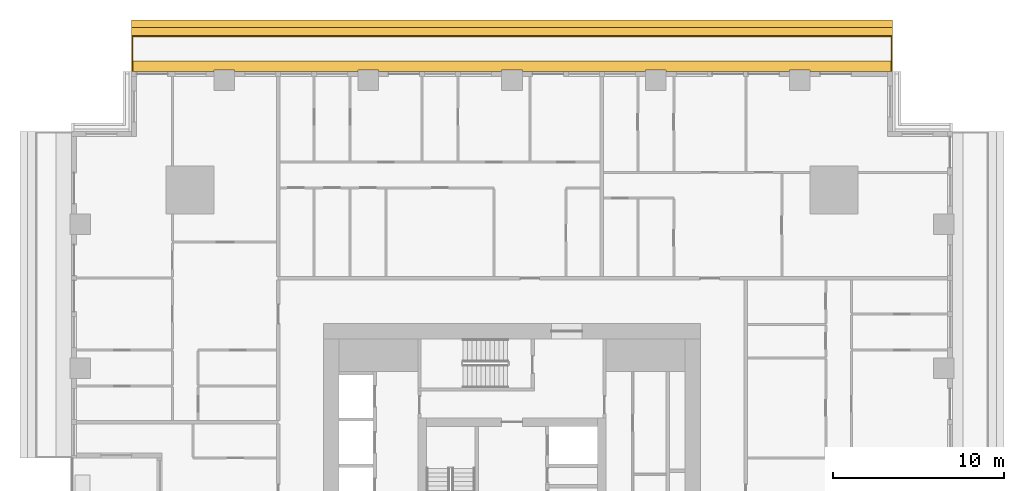
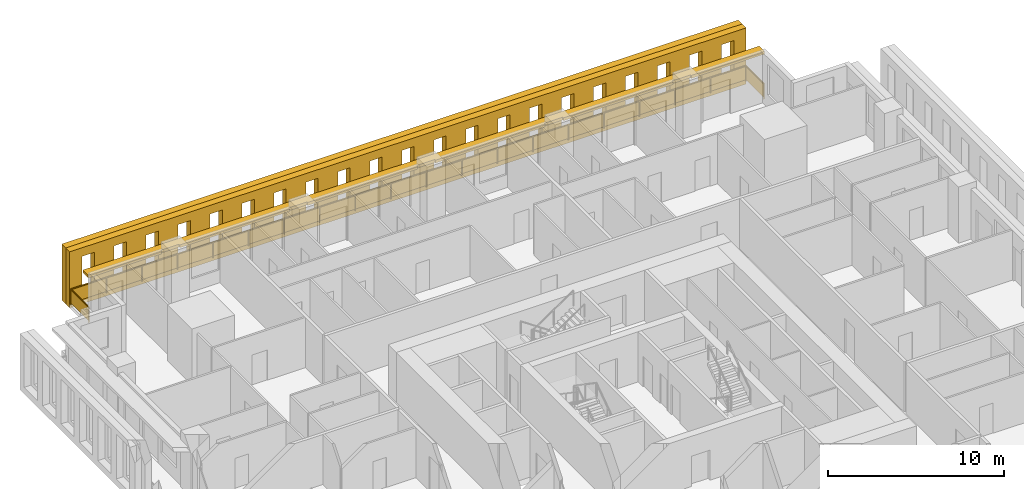
# One storey, part 16 of 16: 3 shading devices, 1 railing.
"""IFC4 building model written with IfcOpenShell, lengths in metres."""

from ifc_helpers import new_model, si_unit, direction, frame, origin, origin_2d, place, context, subcontext, project, spatial, polyline, rectangle, outline, extrude, material, layer, layer_set, type_object, element, save


model = new_model("IFC4")

# Units and contexts
model_context = context("Model", 3, precision=1e-05, world=origin(), true_north=direction((0.0, 1.0)))
body_context = subcontext(model_context, "Body", "Model", "MODEL_VIEW")
ifc_project = project(units=[si_unit("LENGTHUNIT", "METRE"), si_unit("AREAUNIT", "SQUARE_METRE"), si_unit("VOLUMEUNIT", "CUBIC_METRE"), si_unit("PLANEANGLEUNIT", "RADIAN"), si_unit("MASSUNIT", "GRAM", prefix="KILO")], contexts=[model_context])

# Site, building, storey
site_placement = place(None, origin())
site = spatial("IfcSite", under=ifc_project, at=site_placement, CompositionType="ELEMENT")
building_placement = place(site_placement, origin())
building = spatial("IfcBuilding", under=site, at=building_placement, Name="Khepri Terraces", CompositionType="ELEMENT")
storey_placement = place(building_placement, frame((0.0, 0.0, 79.199951171875)))
storey = spatial("IfcBuildingStorey", under=building, at=storey_placement, Name="L18", CompositionType="ELEMENT", Elevation=79.199951171875)

# Railing
ifc_material_1 = material(Name="Stainless steel grade 316", Category="steel")
railing_type = type_object("IfcRailingType", Name="GRD-BAL-1100", PredefinedType="GUARDRAIL", material=ifc_material_1)
railing_placement = place(storey_placement, frame((22.169921875, 25.719970703125, 0.0)))
element("IfcRailing", 1, at=railing_placement, inside=storey, type_object=railing_type, Name="Balcony guard L18 N", PredefinedType="GUARDRAIL", context=body_context, shape_type="SweptSolid", body=[
    extrude(rectangle(XDim=0.050048828125, YDim=0.06005859375, at=origin_2d()), frame((0.0, 0.0, 1.070068359375), z_axis=(0.0, 1.0, 0.0), x_axis=(-1.0, 0.0, 0.0)), (0.0, 0.0, 1.0), 2.050048828125),
    extrude(rectangle(XDim=2.0, YDim=0.011962890625, at=origin_2d()), frame((0.0, 1.02490234375, 0.10009765625), z_axis=(0.0, 0.0, 1.0), x_axis=(0.0, 1.0, 0.0)), (0.0, 0.0, 1.0), 0.93994140625),
    extrude(rectangle(XDim=0.050048828125, YDim=0.06005859375, at=origin_2d()), frame((0.0, 2.050048828125, 1.070068359375), z_axis=(-1.0, 0.0, 0.0), x_axis=(0.0, -1.0, 0.0)), (0.0, 0.0, 1.0), 44.33984375),
    extrude(rectangle(XDim=2.28369140625, YDim=0.011962890625, at=origin_2d()), frame((-1.166748046875, 2.050048828125, 0.10009765625), z_axis=(0.0, 0.0, 1.0), x_axis=(-1.0, 0.0, 0.0)), (0.0, 0.0, 1.0), 0.93994140625),
    extrude(rectangle(XDim=2.28369140625, YDim=0.011962890625, at=origin_2d()), frame((-3.50048828125, 2.050048828125, 0.10009765625), z_axis=(0.0, 0.0, 1.0), x_axis=(-1.0, 0.0, 0.0)), (0.0, 0.0, 1.0), 0.93994140625),
    extrude(rectangle(XDim=2.28369140625, YDim=0.011962890625, at=origin_2d()), frame((-5.834228515625, 2.050048828125, 0.10009765625), z_axis=(0.0, 0.0, 1.0), x_axis=(-1.0, 0.0, 0.0)), (0.0, 0.0, 1.0), 0.93994140625),
    extrude(rectangle(XDim=2.28369140625, YDim=0.011962890625, at=origin_2d()), frame((-8.16796875, 2.050048828125, 0.10009765625), z_axis=(0.0, 0.0, 1.0), x_axis=(-1.0, 0.0, 0.0)), (0.0, 0.0, 1.0), 0.93994140625),
    extrude(rectangle(XDim=2.28369140625, YDim=0.011962890625, at=origin_2d()), frame((-10.50146484375, 2.050048828125, 0.10009765625), z_axis=(0.0, 0.0, 1.0), x_axis=(-1.0, 0.0, 0.0)), (0.0, 0.0, 1.0), 0.93994140625),
    extrude(rectangle(XDim=2.28369140625, YDim=0.011962890625, at=origin_2d()), frame((-12.835205078125, 2.050048828125, 0.10009765625), z_axis=(0.0, 0.0, 1.0), x_axis=(-1.0, 0.0, 0.0)), (0.0, 0.0, 1.0), 0.93994140625),
    extrude(rectangle(XDim=2.28369140625, YDim=0.011962890625, at=origin_2d()), frame((-15.1689453125, 2.050048828125, 0.10009765625), z_axis=(0.0, 0.0, 1.0), x_axis=(-1.0, 0.0, 0.0)), (0.0, 0.0, 1.0), 0.93994140625),
    extrude(rectangle(XDim=2.28369140625, YDim=0.011962890625, at=origin_2d()), frame((-17.502685546875, 2.050048828125, 0.10009765625), z_axis=(0.0, 0.0, 1.0), x_axis=(-1.0, 0.0, 0.0)), (0.0, 0.0, 1.0), 0.93994140625),
    extrude(rectangle(XDim=2.28369140625, YDim=0.011962890625, at=origin_2d()), frame((-19.836181640625, 2.050048828125, 0.10009765625), z_axis=(0.0, 0.0, 1.0), x_axis=(-1.0, 0.0, 0.0)), (0.0, 0.0, 1.0), 0.93994140625),
    extrude(rectangle(XDim=2.28369140625, YDim=0.011962890625, at=origin_2d()), frame((-22.169921875, 2.050048828125, 0.10009765625), z_axis=(0.0, 0.0, 1.0), x_axis=(-1.0, 0.0, 0.0)), (0.0, 0.0, 1.0), 0.93994140625),
    extrude(rectangle(XDim=2.28369140625, YDim=0.011962890625, at=origin_2d()), frame((-24.503662109375, 2.050048828125, 0.10009765625), z_axis=(0.0, 0.0, 1.0), x_axis=(-1.0, 0.0, 0.0)), (0.0, 0.0, 1.0), 0.93994140625),
    extrude(rectangle(XDim=2.28369140625, YDim=0.011962890625, at=origin_2d()), frame((-26.837158203125, 2.050048828125, 0.10009765625), z_axis=(0.0, 0.0, 1.0), x_axis=(-1.0, 0.0, 0.0)), (0.0, 0.0, 1.0), 0.93994140625),
    extrude(rectangle(XDim=2.28369140625, YDim=0.011962890625, at=origin_2d()), frame((-29.1708984375, 2.050048828125, 0.10009765625), z_axis=(0.0, 0.0, 1.0), x_axis=(-1.0, 0.0, 0.0)), (0.0, 0.0, 1.0), 0.93994140625),
    extrude(rectangle(XDim=2.28369140625, YDim=0.011962890625, at=origin_2d()), frame((-31.504638671875, 2.050048828125, 0.10009765625), z_axis=(0.0, 0.0, 1.0), x_axis=(-1.0, 0.0, 0.0)), (0.0, 0.0, 1.0), 0.93994140625),
    extrude(rectangle(XDim=2.28369140625, YDim=0.011962890625, at=origin_2d()), frame((-33.83837890625, 2.050048828125, 0.10009765625), z_axis=(0.0, 0.0, 1.0), x_axis=(-1.0, 0.0, 0.0)), (0.0, 0.0, 1.0), 0.93994140625),
    extrude(rectangle(XDim=2.28369140625, YDim=0.011962890625, at=origin_2d()), frame((-36.171875, 2.050048828125, 0.10009765625), z_axis=(0.0, 0.0, 1.0), x_axis=(-1.0, 0.0, 0.0)), (0.0, 0.0, 1.0), 0.93994140625),
    extrude(rectangle(XDim=2.28369140625, YDim=0.011962890625, at=origin_2d()), frame((-38.505615234375, 2.050048828125, 0.10009765625), z_axis=(0.0, 0.0, 1.0), x_axis=(-1.0, 0.0, 0.0)), (0.0, 0.0, 1.0), 0.93994140625),
    extrude(rectangle(XDim=2.28369140625, YDim=0.011962890625, at=origin_2d()), frame((-40.83935546875, 2.050048828125, 0.10009765625), z_axis=(0.0, 0.0, 1.0), x_axis=(-1.0, 0.0, 0.0)), (0.0, 0.0, 1.0), 0.93994140625),
    extrude(rectangle(XDim=2.28369140625, YDim=0.011962890625, at=origin_2d()), frame((-43.173095703125, 2.050048828125, 0.10009765625), z_axis=(0.0, 0.0, 1.0), x_axis=(-1.0, 0.0, 0.0)), (0.0, 0.0, 1.0), 0.93994140625),
    extrude(rectangle(XDim=0.050048828125, YDim=0.06005859375, at=origin_2d()), frame((-44.33984375, 2.050048828125, 1.070068359375), z_axis=(0.0, -1.0, 0.0), x_axis=(1.0, 0.0, 0.0)), (0.0, 0.0, 1.0), 2.050048828125),
    extrude(rectangle(XDim=2.0, YDim=0.011962890625, at=origin_2d()), frame((-44.33984375, 1.02490234375, 0.10009765625), z_axis=(0.0, 0.0, 1.0), x_axis=(0.0, -1.0, 0.0)), (0.0, 0.0, 1.0), 0.93994140625),
    extrude(rectangle(XDim=0.050048828125, YDim=0.050048828125, at=origin_2d()), origin(), (0.0, 0.0, 1.0), 1.0400390625),
    extrude(rectangle(XDim=0.050048828125, YDim=0.050048828125, at=origin_2d()), frame((0.0, 2.050048828125, 0.0)), (0.0, 0.0, 1.0), 1.0400390625),
    extrude(rectangle(XDim=0.050048828125, YDim=0.050048828125, at=origin_2d()), frame((-2.333740234375, 2.050048828125, 0.0)), (0.0, 0.0, 1.0), 1.0400390625),
    extrude(rectangle(XDim=0.050048828125, YDim=0.050048828125, at=origin_2d()), frame((-4.667236328125, 2.050048828125, 0.0)), (0.0, 0.0, 1.0), 1.0400390625),
    extrude(rectangle(XDim=0.050048828125, YDim=0.050048828125, at=origin_2d()), frame((-7.0009765625, 2.050048828125, 0.0)), (0.0, 0.0, 1.0), 1.0400390625),
    extrude(rectangle(XDim=0.050048828125, YDim=0.050048828125, at=origin_2d()), frame((-9.334716796875, 2.050048828125, 0.0)), (0.0, 0.0, 1.0), 1.0400390625),
    extrude(rectangle(XDim=0.050048828125, YDim=0.050048828125, at=origin_2d()), frame((-11.66845703125, 2.050048828125, 0.0)), (0.0, 0.0, 1.0), 1.0400390625),
    extrude(rectangle(XDim=0.050048828125, YDim=0.050048828125, at=origin_2d()), frame((-14.001953125, 2.050048828125, 0.0)), (0.0, 0.0, 1.0), 1.0400390625),
    extrude(rectangle(XDim=0.050048828125, YDim=0.050048828125, at=origin_2d()), frame((-16.335693359375, 2.050048828125, 0.0)), (0.0, 0.0, 1.0), 1.0400390625),
    extrude(rectangle(XDim=0.050048828125, YDim=0.050048828125, at=origin_2d()), frame((-18.66943359375, 2.050048828125, 0.0)), (0.0, 0.0, 1.0), 1.0400390625),
    extrude(rectangle(XDim=0.050048828125, YDim=0.050048828125, at=origin_2d()), frame((-21.003173828125, 2.050048828125, 0.0)), (0.0, 0.0, 1.0), 1.0400390625),
    extrude(rectangle(XDim=0.050048828125, YDim=0.050048828125, at=origin_2d()), frame((-23.336669921875, 2.050048828125, 0.0)), (0.0, 0.0, 1.0), 1.0400390625),
    extrude(rectangle(XDim=0.050048828125, YDim=0.050048828125, at=origin_2d()), frame((-25.67041015625, 2.050048828125, 0.0)), (0.0, 0.0, 1.0), 1.0400390625),
    extrude(rectangle(XDim=0.050048828125, YDim=0.050048828125, at=origin_2d()), frame((-28.004150390625, 2.050048828125, 0.0)), (0.0, 0.0, 1.0), 1.0400390625),
    extrude(rectangle(XDim=0.050048828125, YDim=0.050048828125, at=origin_2d()), frame((-30.337890625, 2.050048828125, 0.0)), (0.0, 0.0, 1.0), 1.0400390625),
    extrude(rectangle(XDim=0.050048828125, YDim=0.050048828125, at=origin_2d()), frame((-32.67138671875, 2.050048828125, 0.0)), (0.0, 0.0, 1.0), 1.0400390625),
    extrude(rectangle(XDim=0.050048828125, YDim=0.050048828125, at=origin_2d()), frame((-35.005126953125, 2.050048828125, 0.0)), (0.0, 0.0, 1.0), 1.0400390625),
    extrude(rectangle(XDim=0.050048828125, YDim=0.050048828125, at=origin_2d()), frame((-37.3388671875, 2.050048828125, 0.0)), (0.0, 0.0, 1.0), 1.0400390625),
    extrude(rectangle(XDim=0.050048828125, YDim=0.050048828125, at=origin_2d()), frame((-39.672607421875, 2.050048828125, 0.0)), (0.0, 0.0, 1.0), 1.0400390625),
    extrude(rectangle(XDim=0.050048828125, YDim=0.050048828125, at=origin_2d()), frame((-42.006103515625, 2.050048828125, 0.0)), (0.0, 0.0, 1.0), 1.0400390625),
    extrude(rectangle(XDim=0.050048828125, YDim=0.050048828125, at=origin_2d()), frame((-44.33984375, 2.050048828125, 0.0)), (0.0, 0.0, 1.0), 1.0400390625),
    extrude(rectangle(XDim=0.050048828125, YDim=0.050048828125, at=origin_2d()), frame((-44.33984375, 0.0, 0.0)), (0.0, 0.0, 1.0), 1.0400390625),
])

# Shading devices
ifc_material_2 = material(Name="Precast concrete C50/60 warm stone", Category="masonry")
shading_device_type_1 = type_object("IfcShadingDeviceType", Name="SCR-CELL-INNER-450", PredefinedType="USERDEFINED", material=ifc_material_2)
shading_device_1_placement = place(storey_placement, frame((22.219970703125, 27.820068359375, -0.25), z_axis=(0.0, 1.0, 0.0), x_axis=(-1.0, 0.0, 0.0)))
element("IfcShadingDevice", 2, at=shading_device_1_placement, inside=storey, type_object=shading_device_type_1, Name="Cell screen L18 N in", ObjectType="SCREEN", PredefinedType="USERDEFINED", context=body_context, shape_type="SweptSolid", body=[
    extrude(outline(polyline([(0.0, 0.0), (44.43994140625, 0.0), (44.43994140625, 3.89990234375), (0.0, 3.89990234375), (0.0, 0.0)]), holes=[polyline([(0.818359375, 0.699951171875), (1.62158203125, 0.699951171875), (1.62158203125, 3.300048828125), (0.818359375, 3.300048828125), (0.818359375, 0.699951171875)]), polyline([(2.91845703125, 0.699951171875), (3.7216796875, 0.699951171875), (3.7216796875, 3.300048828125), (2.91845703125, 3.300048828125), (2.91845703125, 0.699951171875)]), polyline([(5.018310546875, 0.699951171875), (5.821533203125, 0.699951171875), (5.821533203125, 3.300048828125), (5.018310546875, 3.300048828125), (5.018310546875, 0.699951171875)]), polyline([(7.118408203125, 0.699951171875), (7.921630859375, 0.699951171875), (7.921630859375, 3.300048828125), (7.118408203125, 3.300048828125), (7.118408203125, 0.699951171875)]), polyline([(9.218505859375, 0.699951171875), (10.021484375, 0.699951171875), (10.021484375, 3.300048828125), (9.218505859375, 3.300048828125), (9.218505859375, 0.699951171875)]), polyline([(11.318359375, 0.699951171875), (12.12158203125, 0.699951171875), (12.12158203125, 3.300048828125), (11.318359375, 3.300048828125), (11.318359375, 0.699951171875)]), polyline([(13.41845703125, 0.699951171875), (14.2216796875, 0.699951171875), (14.2216796875, 3.300048828125), (13.41845703125, 3.300048828125), (13.41845703125, 0.699951171875)]), polyline([(15.518310546875, 0.699951171875), (16.321533203125, 0.699951171875), (16.321533203125, 3.300048828125), (15.518310546875, 3.300048828125), (15.518310546875, 0.699951171875)]), polyline([(17.618408203125, 0.699951171875), (18.421630859375, 0.699951171875), (18.421630859375, 3.300048828125), (17.618408203125, 3.300048828125), (17.618408203125, 0.699951171875)]), polyline([(19.718505859375, 0.699951171875), (20.521484375, 0.699951171875), (20.521484375, 3.300048828125), (19.718505859375, 3.300048828125), (19.718505859375, 0.699951171875)]), polyline([(21.818359375, 0.699951171875), (22.62158203125, 0.699951171875), (22.62158203125, 3.300048828125), (21.818359375, 3.300048828125), (21.818359375, 0.699951171875)]), polyline([(23.91845703125, 0.699951171875), (24.7216796875, 0.699951171875), (24.7216796875, 3.300048828125), (23.91845703125, 3.300048828125), (23.91845703125, 0.699951171875)]), polyline([(26.018310546875, 0.699951171875), (26.821533203125, 0.699951171875), (26.821533203125, 3.300048828125), (26.018310546875, 3.300048828125), (26.018310546875, 0.699951171875)]), polyline([(28.118408203125, 0.699951171875), (28.921630859375, 0.699951171875), (28.921630859375, 3.300048828125), (28.118408203125, 3.300048828125), (28.118408203125, 0.699951171875)]), polyline([(30.218505859375, 0.699951171875), (31.021484375, 0.699951171875), (31.021484375, 3.300048828125), (30.218505859375, 3.300048828125), (30.218505859375, 0.699951171875)]), polyline([(32.318359375, 0.699951171875), (33.12158203125, 0.699951171875), (33.12158203125, 3.300048828125), (32.318359375, 3.300048828125), (32.318359375, 0.699951171875)]), polyline([(34.41845703125, 0.699951171875), (35.2216796875, 0.699951171875), (35.2216796875, 3.300048828125), (34.41845703125, 3.300048828125), (34.41845703125, 0.699951171875)]), polyline([(36.518310546875, 0.699951171875), (37.321533203125, 0.699951171875), (37.321533203125, 3.300048828125), (36.518310546875, 3.300048828125), (36.518310546875, 0.699951171875)]), polyline([(38.618408203125, 0.699951171875), (39.421630859375, 0.699951171875), (39.421630859375, 3.300048828125), (38.618408203125, 3.300048828125), (38.618408203125, 0.699951171875)]), polyline([(40.718505859375, 0.699951171875), (41.521484375, 0.699951171875), (41.521484375, 3.300048828125), (40.718505859375, 3.300048828125), (40.718505859375, 0.699951171875)]), polyline([(42.818359375, 0.699951171875), (43.62158203125, 0.699951171875), (43.62158203125, 3.300048828125), (42.818359375, 3.300048828125), (42.818359375, 0.699951171875)])]), origin(), (0.0, 0.0, 1.0), 0.449951171875),
])
shading_device_type_2 = type_object("IfcShadingDeviceType", Name="SCR-CELL-OUTER-450", PredefinedType="USERDEFINED", material=ifc_material_2)
shading_device_2_placement = place(storey_placement, frame((22.219970703125, 28.27001953125, -0.25), z_axis=(0.0, 1.0, 0.0), x_axis=(-1.0, 0.0, 0.0)))
element("IfcShadingDevice", 3, at=shading_device_2_placement, inside=storey, type_object=shading_device_type_2, Name="Cell screen L18 N out", ObjectType="SCREEN", PredefinedType="USERDEFINED", context=body_context, shape_type="SweptSolid", body=[
    extrude(outline(polyline([(0.0, 0.0), (44.43994140625, 0.0), (44.43994140625, 3.89990234375), (0.0, 3.89990234375), (0.0, 0.0)]), holes=[polyline([(0.468505859375, 0.449951171875), (1.9716796875, 0.449951171875), (1.9716796875, 3.550048828125), (0.468505859375, 3.550048828125), (0.468505859375, 0.449951171875)]), polyline([(2.568359375, 0.449951171875), (4.071533203125, 0.449951171875), (4.071533203125, 3.550048828125), (2.568359375, 3.550048828125), (2.568359375, 0.449951171875)]), polyline([(4.66845703125, 0.449951171875), (6.171630859375, 0.449951171875), (6.171630859375, 3.550048828125), (4.66845703125, 3.550048828125), (4.66845703125, 0.449951171875)]), polyline([(6.768310546875, 0.449951171875), (8.271484375, 0.449951171875), (8.271484375, 3.550048828125), (6.768310546875, 3.550048828125), (6.768310546875, 0.449951171875)]), polyline([(8.868408203125, 0.449951171875), (10.37158203125, 0.449951171875), (10.37158203125, 3.550048828125), (8.868408203125, 3.550048828125), (8.868408203125, 0.449951171875)]), polyline([(10.968505859375, 0.449951171875), (12.4716796875, 0.449951171875), (12.4716796875, 3.550048828125), (10.968505859375, 3.550048828125), (10.968505859375, 0.449951171875)]), polyline([(13.068359375, 0.449951171875), (14.571533203125, 0.449951171875), (14.571533203125, 3.550048828125), (13.068359375, 3.550048828125), (13.068359375, 0.449951171875)]), polyline([(15.16845703125, 0.449951171875), (16.671630859375, 0.449951171875), (16.671630859375, 3.550048828125), (15.16845703125, 3.550048828125), (15.16845703125, 0.449951171875)]), polyline([(17.268310546875, 0.449951171875), (18.771484375, 0.449951171875), (18.771484375, 3.550048828125), (17.268310546875, 3.550048828125), (17.268310546875, 0.449951171875)]), polyline([(19.368408203125, 0.449951171875), (20.87158203125, 0.449951171875), (20.87158203125, 3.550048828125), (19.368408203125, 3.550048828125), (19.368408203125, 0.449951171875)]), polyline([(21.468505859375, 0.449951171875), (22.9716796875, 0.449951171875), (22.9716796875, 3.550048828125), (21.468505859375, 3.550048828125), (21.468505859375, 0.449951171875)]), polyline([(23.568359375, 0.449951171875), (25.071533203125, 0.449951171875), (25.071533203125, 3.550048828125), (23.568359375, 3.550048828125), (23.568359375, 0.449951171875)]), polyline([(25.66845703125, 0.449951171875), (27.171630859375, 0.449951171875), (27.171630859375, 3.550048828125), (25.66845703125, 3.550048828125), (25.66845703125, 0.449951171875)]), polyline([(27.768310546875, 0.449951171875), (29.271484375, 0.449951171875), (29.271484375, 3.550048828125), (27.768310546875, 3.550048828125), (27.768310546875, 0.449951171875)]), polyline([(29.868408203125, 0.449951171875), (31.37158203125, 0.449951171875), (31.37158203125, 3.550048828125), (29.868408203125, 3.550048828125), (29.868408203125, 0.449951171875)]), polyline([(31.968505859375, 0.449951171875), (33.4716796875, 0.449951171875), (33.4716796875, 3.550048828125), (31.968505859375, 3.550048828125), (31.968505859375, 0.449951171875)]), polyline([(34.068359375, 0.449951171875), (35.571533203125, 0.449951171875), (35.571533203125, 3.550048828125), (34.068359375, 3.550048828125), (34.068359375, 0.449951171875)]), polyline([(36.16845703125, 0.449951171875), (37.671630859375, 0.449951171875), (37.671630859375, 3.550048828125), (36.16845703125, 3.550048828125), (36.16845703125, 0.449951171875)]), polyline([(38.268310546875, 0.449951171875), (39.771484375, 0.449951171875), (39.771484375, 3.550048828125), (38.268310546875, 3.550048828125), (38.268310546875, 0.449951171875)]), polyline([(40.368408203125, 0.449951171875), (41.87158203125, 0.449951171875), (41.87158203125, 3.550048828125), (40.368408203125, 3.550048828125), (40.368408203125, 0.449951171875)]), polyline([(42.468505859375, 0.449951171875), (43.9716796875, 0.449951171875), (43.9716796875, 3.550048828125), (42.468505859375, 3.550048828125), (42.468505859375, 0.449951171875)])]), origin(), (0.0, 0.0, 1.0), 0.449951171875),
])
ifc_layer = layer(ifc_material_2, 0.199951171875, Name="Precast concrete C50/60 warm stone", Category="masonry")
ifc_layer_set = layer_set([ifc_layer], Name="Precast concrete C50/60 warm stone")
shading_device_type_3 = type_object("IfcShadingDeviceType", Name="SSH-BAND-STONE-200-N", PredefinedType="USERDEFINED", material=ifc_layer_set)
shading_device_3_placement = place(storey_placement, frame((0.0, 0.0, 3.10009765625)))
element("IfcShadingDevice", 4, at=shading_device_3_placement, inside=storey, type_object=shading_device_type_3, Name="Sunshade band L18 N", ObjectType="SUNSHADE", PredefinedType="USERDEFINED", context=body_context, shape_type="SweptSolid", body=[
    extrude(outline(polyline([(17.39990234375, 25.719970703125), (22.219970703125, 25.719970703125), (22.219970703125, 26.320068359375), (-22.219970703125, 26.320068359375), (-22.219970703125, 25.719970703125), (-17.39990234375, 25.719970703125), (-17.39990234375, 25.800048828125), (-16.199951171875, 25.800048828125), (-16.199951171875, 25.719970703125), (-9.0, 25.719970703125), (-9.0, 25.800048828125), (-7.800048828125, 25.800048828125), (-7.800048828125, 25.719970703125), (-0.60009765625, 25.719970703125), (-0.60009765625, 25.800048828125), (0.60009765625, 25.800048828125), (0.60009765625, 25.719970703125), (7.800048828125, 25.719970703125), (7.800048828125, 25.800048828125), (9.0, 25.800048828125), (9.0, 25.719970703125), (16.199951171875, 25.719970703125), (16.199951171875, 25.800048828125), (17.39990234375, 25.800048828125), (17.39990234375, 25.719970703125)])), origin(), (0.0, 0.0, 1.0), 0.199951171875),
])

save(model, "model.ifc")
